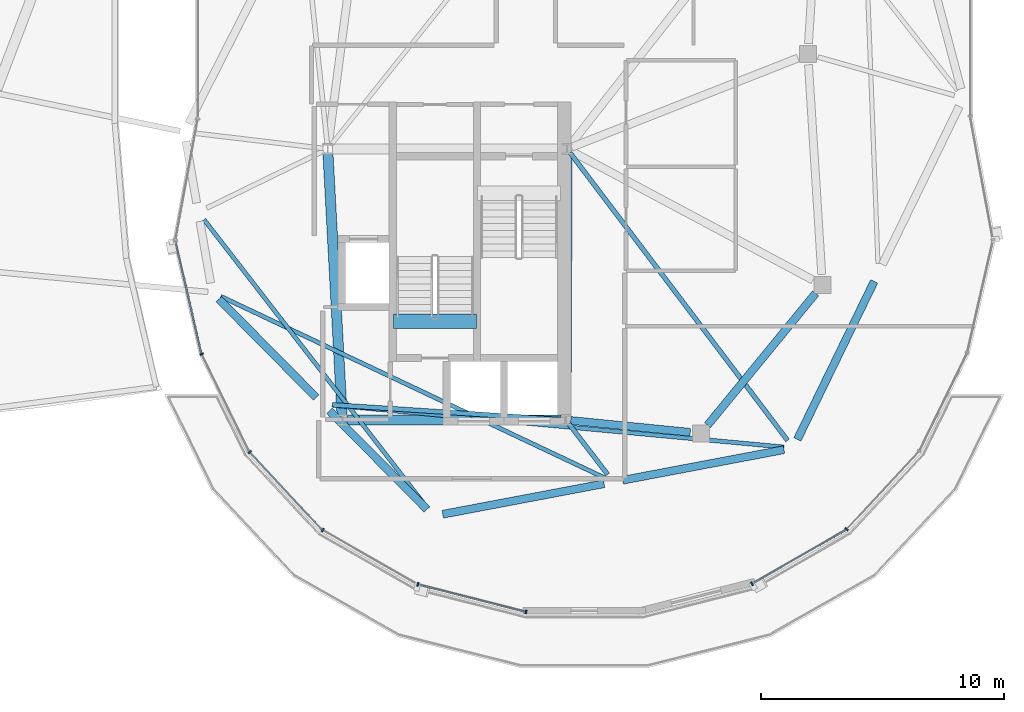
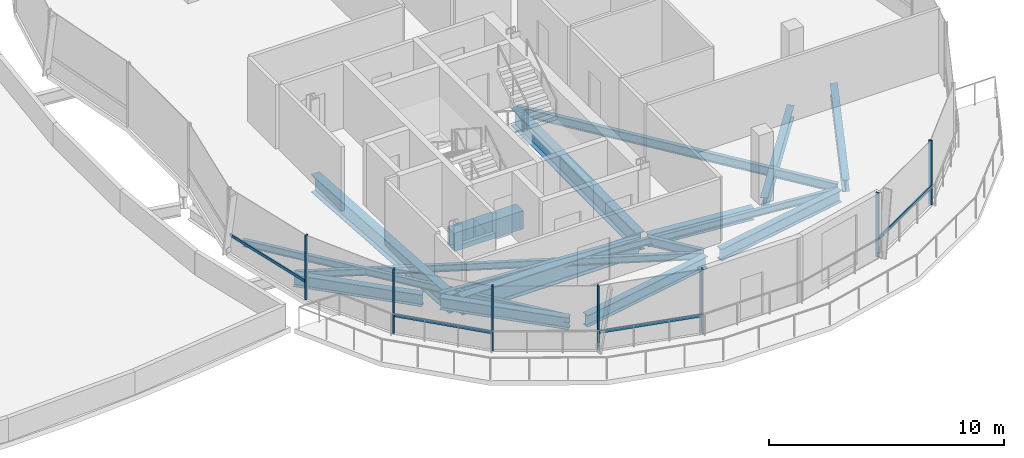
# One storey, part 12 of 31: 17 beams, 11 members, 2 elements without a shape of their own.
"""IFC4 building model written with IfcOpenShell, lengths in metres."""

import ifcopenshell
import ifcopenshell.guid

model = None  # the IFC model being written
_history = None  # IfcOwnerHistory: only IFC2X3 demands one
_inside = {}  # id of a spatial element -> (the spatial element, [elements in it])
_under = {}  # id of a project, library or spatial element -> (it, [spatial elements below it])
_declared = {}  # id of a project -> (the project, [libraries it declares])
_typed = {}  # id of a type object -> (the type object, [elements of that type])
_made_of = {}  # id of a material, layer set ... -> (it, [elements and type objects made of it])


def new_model(schema):
    """Start an empty IFC model of exactly this schema.

    Asked for "IFC4X3", IfcOpenShell would pick the latest addendum, in which some entities
    have other attributes; the version numbers below select the first issue.
    IFC2X3 requires an IfcOwnerHistory on every rooted entity: one is made here for all.
    """
    global model, _history
    if schema == "IFC4X3":
        model = ifcopenshell.file(schema_version=(4, 3, 0, 0))
    else:
        model = ifcopenshell.file(schema=schema)
    _inside.clear()
    _under.clear()
    _declared.clear()
    _typed.clear()
    _made_of.clear()
    _history = None
    if model.schema == "IFC2X3":
        org = make("IfcOrganization", Name="unknown")
        user = make(
            "IfcPersonAndOrganization",
            ThePerson=make("IfcPerson", FamilyName="unknown"),
            TheOrganization=org,
        )
        app = make(
            "IfcApplication",
            ApplicationDeveloper=org,
            Version="unknown",
            ApplicationFullName="unknown",
            ApplicationIdentifier="unknown",
        )
        _history = make(
            "IfcOwnerHistory",
            OwningUser=user,
            OwningApplication=app,
            ChangeAction="ADDED",
            CreationDate=0,
        )
    return model


def make(cls, **values):
    """One entity of the class cls with the attributes given. An attribute that is None is left unset."""
    return model.create_entity(
        cls, **{name: value for name, value in values.items() if value is not None}
    )


def rooted(cls, **values):
    """An entity with a GlobalId (a new one), such as an element, a storey or a relation."""
    return make(cls, GlobalId=ifcopenshell.guid.new(), OwnerHistory=_history, **values)


def si_unit(unit_type, name, prefix=None):
    """IfcSIUnit, for example si_unit("LENGTHUNIT", "METRE", prefix="MILLI")."""
    return make("IfcSIUnit", UnitType=unit_type, Prefix=prefix, Name=name)


def assignment(units):
    """IfcUnitAssignment: the units of a project."""
    return None if units is None else make("IfcUnitAssignment", Units=units)


def point(xyz):
    """IfcCartesianPoint."""
    return None if xyz is None else make("IfcCartesianPoint", Coordinates=xyz)


def direction(xyz):
    """IfcDirection."""
    return None if xyz is None else make("IfcDirection", DirectionRatios=xyz)


def frame(location, z_axis=None, x_axis=None):
    """IfcAxis2Placement3D, a coordinate frame: its origin and axes. An axis left out is left unset."""
    return make(
        "IfcAxis2Placement3D",
        Location=point(location),
        Axis=direction(z_axis),
        RefDirection=direction(x_axis),
    )


def frame_2d(location, x_axis=None):
    """IfcAxis2Placement2D, a coordinate frame in the plane: its origin and x axis."""
    return make(
        "IfcAxis2Placement2D", Location=point(location), RefDirection=direction(x_axis)
    )


def origin():
    """The frame at (0, 0, 0) with its axes left unset."""
    return frame((0.0, 0.0, 0.0))


def origin_2d():
    """The frame at (0, 0) in the plane with its x axis left unset."""
    return frame_2d((0.0, 0.0))


def place(relative_to, where):
    """IfcLocalPlacement: puts the frame where relative to a parent placement (None: the world)."""
    return make(
        "IfcLocalPlacement", PlacementRelTo=relative_to, RelativePlacement=where
    )


def context(
    kind, dimensions, precision=None, world=None, true_north=None, identifier=None
):
    """IfcGeometricRepresentationContext, for example the 3D "Model" context."""
    return make(
        "IfcGeometricRepresentationContext",
        ContextIdentifier=identifier,
        ContextType=kind,
        CoordinateSpaceDimension=dimensions,
        Precision=precision,
        WorldCoordinateSystem=world,
        TrueNorth=true_north,
    )


def subcontext(parent, identifier, kind, view, scale=None):
    """IfcGeometricRepresentationSubContext, for example "Body" below "Model"."""
    return make(
        "IfcGeometricRepresentationSubContext",
        ContextIdentifier=identifier,
        ContextType=kind,
        ParentContext=parent,
        TargetScale=scale,
        TargetView=view,
    )


def project(units=None, contexts=None):
    """IfcProject with its units and contexts."""
    return rooted(
        "IfcProject",
        Name="project",
        RepresentationContexts=contexts,
        UnitsInContext=assignment(units),
    )


def spatial(cls, under=None, at=None, **own):
    """A site, building, storey or space (cls), placed at a placement, below another one or the project."""
    s = rooted(cls, ObjectPlacement=at, **own)
    if under is not None:
        _under.setdefault(under.id(), (under, []))[1].append(s)
    return s


def profile(cls, at=None, kind="AREA", **sizes):
    """A parametric profile (cls). Its sizes go by their IFC names, for example OverallWidth=200.0."""
    return make(cls, ProfileType=kind, Position=at, **sizes)


def rectangle(**sizes):
    """IfcRectangleProfileDef."""
    return profile("IfcRectangleProfileDef", **sizes)


def i_section(**sizes):
    """IfcIShapeProfileDef."""
    return profile("IfcIShapeProfileDef", **sizes)


def extrude(swept, where, along, depth):
    """IfcExtrudedAreaSolid: the profile swept, set in the frame where, extruded along a direction by depth."""
    return make(
        "IfcExtrudedAreaSolid",
        SweptArea=swept,
        Position=where,
        ExtrudedDirection=direction(along),
        Depth=depth,
    )


def shape(context_of_items, identifier, shape_type, items):
    """IfcShapeRepresentation: the items that make up one representation, for example the "Body"."""
    return make(
        "IfcShapeRepresentation",
        ContextOfItems=context_of_items,
        RepresentationIdentifier=identifier,
        RepresentationType=shape_type,
        Items=items,
    )


def material(Name=None, Category=None):
    """IfcMaterial."""
    return make("IfcMaterial", Name=Name, Category=Category)


def material_profile(
    of_material, cross_section, Name=None, Category=None, Priority=None
):
    """IfcMaterialProfile: a cross section and its material."""
    return make(
        "IfcMaterialProfile",
        Name=Name,
        Material=of_material,
        Profile=cross_section,
        Priority=Priority,
        Category=Category,
    )


def profile_set(profiles, Name=None, composite=None):
    """IfcMaterialProfileSet."""
    return make(
        "IfcMaterialProfileSet",
        Name=Name,
        MaterialProfiles=profiles,
        CompositeProfile=composite,
    )


def made_of(thing, what):
    """Note that an element or type object is made of a material, layer set ...; save() writes the relation."""
    if what is not None:
        _made_of.setdefault(what.id(), (what, []))[1].append(thing)
    return thing


def type_object(cls, material=None, **own):
    """A type object (cls), such as IfcWallType, which elements share."""
    return made_of(rooted(cls, **own), material)


def element(
    cls,
    number,
    at=None,
    inside=None,
    cuts=None,
    type_object=None,
    material=None,
    context=None,
    identifier="Body",
    shape_type=None,
    held_by="IfcProductDefinitionShape",
    body=None,
    shapes=None,
    **own,
):
    """One element of the class cls, such as IfcWall. Its Tag is "e" and its number.

    at: its placement. inside: the storey or other place that contains it. cuts: it is an
    opening in that element (IfcRelVoidsElement). A single representation is given by context,
    identifier, shape_type and body (its items); several are given by shapes. held_by: the class
    of the entity that holds the representations. save() writes the other relations.
    """
    e = rooted(cls, Tag="e%d" % number, ObjectPlacement=at, **own)
    if body is not None:
        shapes = [shape(context, identifier, shape_type, body)]
    if shapes is not None:
        e.Representation = make(held_by, Representations=shapes)
    if inside is not None:
        _inside.setdefault(inside.id(), (inside, []))[1].append(e)
    if cuts is not None:
        rooted(
            "IfcRelVoidsElement", RelatingBuildingElement=cuts, RelatedOpeningElement=e
        )
    if type_object is not None:
        _typed.setdefault(type_object.id(), (type_object, []))[1].append(e)
    return made_of(e, material)


def aggregate(whole, parts):
    """IfcRelAggregates: a whole, such as a stair, and the parts it consists of."""
    return rooted("IfcRelAggregates", RelatingObject=whole, RelatedObjects=parts)


def save(model, path):
    """Write the relations noted so far, then the file.

    IfcRelAggregates (storeys below a building ...), IfcRelContainedInSpatialStructure (elements
    in a storey), IfcRelDefinesByType, IfcRelAssociatesMaterial and IfcRelDeclares: one each for
    every whole, place, type object, material and project.
    """
    for whole, parts in _under.values():
        aggregate(whole, parts)
    for where, things in _inside.values():
        rooted(
            "IfcRelContainedInSpatialStructure",
            RelatedElements=things,
            RelatingStructure=where,
        )
    for kind, things in _typed.values():
        rooted("IfcRelDefinesByType", RelatedObjects=things, RelatingType=kind)
    for what, things in _made_of.values():
        rooted("IfcRelAssociatesMaterial", RelatedObjects=things, RelatingMaterial=what)
    for by, libraries in _declared.values():
        rooted("IfcRelDeclares", RelatingContext=by, RelatedDefinitions=libraries)
    model.write(path)


model = new_model("IFC4")

# Units and contexts
model_context = context("Model", 3, precision=1e-05, world=origin(), true_north=direction((0.0, 1.0)))
body_context = subcontext(model_context, "Body", "Model", "MODEL_VIEW")
ifc_project = project(units=[si_unit("LENGTHUNIT", "METRE"), si_unit("AREAUNIT", "SQUARE_METRE"), si_unit("VOLUMEUNIT", "CUBIC_METRE"), si_unit("PLANEANGLEUNIT", "RADIAN"), si_unit("MASSUNIT", "GRAM", prefix="KILO"), si_unit("THERMODYNAMICTEMPERATUREUNIT", "KELVIN"), si_unit("POWERUNIT", "WATT")], contexts=[model_context])

# Site, building, storey
site_placement = place(None, origin())
site = spatial("IfcSite", under=ifc_project, at=site_placement, CompositionType="ELEMENT")
building_placement = place(site_placement, origin())
building = spatial("IfcBuilding", under=site, at=building_placement, Name="Cundina Bronze Exchange", CompositionType="ELEMENT")
storey_placement = place(building_placement, frame((0.0, 0.0, 275.60009765625)))
storey = spatial("IfcBuildingStorey", under=building, at=storey_placement, Name="L73", CompositionType="ELEMENT", Elevation=275.60009765625)

# Beams
ifc_material_1 = material(Name="Concrete C60/75", Category="concrete")
ifc_material_profile_1 = material_profile(ifc_material_1, rectangle(XDim=0.60009765625, YDim=0.949951171875, at=origin_2d()), Name="RC600X950", Category="concrete")
ifc_profile_set_1 = profile_set([ifc_material_profile_1], Name="Concrete C60/75")
beam_type_1 = type_object("IfcBeamType", Name="BM-COUP-RC950", PredefinedType="LINTEL", material=ifc_profile_set_1)
beam_1_placement = place(storey_placement, frame((24.159912109375, -10.97998046875, -0.47509765625), z_axis=(1.0, 0.0, 0.0), x_axis=(0.0, 1.0, 0.0)))
element("IfcBeam", 1, at=beam_1_placement, inside=storey, type_object=beam_type_1, Name="L73 Stair E2 Landing Header Beam", PredefinedType="LINTEL", context=body_context, shape_type="SweptSolid", body=[
    extrude(rectangle(XDim=0.60009765625, YDim=0.949951171875, at=origin_2d()), origin(), (0.0, 0.0, 1.0), 3.400146484375),
])
ifc_material_2 = material(Name="Steel ASTM A992 Grade 50", Category="steel")
ifc_material_profile_2 = material_profile(ifc_material_2, i_section(OverallWidth=0.19091796875, OverallDepth=0.4599609375, WebThickness=0.010009765625, FlangeThickness=0.01611328125, FilletRadius=0.011962890625, at=origin_2d()), Name="W18X55", Category="steel")
ifc_profile_set_2 = profile_set([ifc_material_profile_2], Name="Steel ASTM A992 Grade 50")
beam_type_2 = type_object("IfcBeamType", Name="BM-FLR-W18B", PredefinedType="BEAM", material=ifc_profile_set_2)
beam_2_placement = place(storey_placement, frame((31.054443359375, -15.037353515625, -0.489990234375), z_axis=(-0.997894580734, 0.064856809527, 0.0), x_axis=(-0.064856809527, -0.997894580734, 0.0)))
element("IfcBeam", 2, at=beam_2_placement, inside=storey, type_object=beam_type_2, Name="L73 Leg E Chordal Floor Beam 03", PredefinedType="BEAM", context=body_context, shape_type="SweptSolid", body=[
    extrude(i_section(OverallWidth=0.19091796875, OverallDepth=0.4599609375, WebThickness=0.010009765625, FlangeThickness=0.01611328125, FilletRadius=0.011962890625, at=origin_2d()), origin(), (0.0, 0.0, 1.0), 9.43701171875),
])
beam_3_placement = place(storey_placement, frame((31.369140625, -15.205810546875, -0.489990234375), z_axis=(0.607470812638, -0.794341999263, 0.0), x_axis=(0.794341999263, 0.607470812638, 0.0)))
element("IfcBeam", 3, at=beam_3_placement, inside=storey, type_object=beam_type_2, Name="L73 Leg E Chordal Floor Beam 05", PredefinedType="BEAM", context=body_context, shape_type="SweptSolid", body=[
    extrude(i_section(OverallWidth=0.19091796875, OverallDepth=0.4599609375, WebThickness=0.010009765625, FlangeThickness=0.01611328125, FilletRadius=0.011962890625, at=origin_2d()), origin(), (0.0, 0.0, 1.0), 2.6259765625),
])
beam_4_placement = place(storey_placement, frame((31.418212890625, -4.056396484375, -0.489990234375), z_axis=(0.603112871583, -0.797655855699, 0.0), x_axis=(0.797655855699, 0.603112871583, 0.0)))
element("IfcBeam", 4, at=beam_4_placement, inside=storey, type_object=beam_type_2, Name="L73 Leg E Chordal Floor Beam 06", PredefinedType="BEAM", context=body_context, shape_type="SweptSolid", body=[
    extrude(i_section(OverallWidth=0.19091796875, OverallDepth=0.4599609375, WebThickness=0.010009765625, FlangeThickness=0.01611328125, FilletRadius=0.011962890625, at=origin_2d()), origin(), (0.0, 0.0, 1.0), 14.8359375),
])
ifc_material_profile_3 = material_profile(ifc_material_2, i_section(OverallWidth=0.172119140625, OverallDepth=0.35791015625, WebThickness=0.0078125, FlangeThickness=0.01318359375, FilletRadius=0.010009765625, at=origin_2d()), Name="W14X38", Category="steel")
ifc_profile_set_3 = profile_set([ifc_material_profile_3], Name="Steel ASTM A992 Grade 50")
beam_type_3 = type_object("IfcBeamType", Name="BM-JST-W14", PredefinedType="JOIST", material=ifc_profile_set_3)
beam_5_placement = place(storey_placement, frame((16.362548828125, -6.806884765625, -0.439208984375), z_axis=(0.612077855816, -0.790797507849, 0.0), x_axis=(0.790797507849, 0.612077855816, 0.0)))
element("IfcBeam", 5, at=beam_5_placement, inside=storey, type_object=beam_type_3, Name="L73 Leg E Lobe Floor Joist 01-04", PredefinedType="JOIST", context=body_context, shape_type="SweptSolid", body=[
    extrude(i_section(OverallWidth=0.172119140625, OverallDepth=0.35791015625, WebThickness=0.0078125, FlangeThickness=0.01318359375, FilletRadius=0.010009765625, at=origin_2d()), origin(), (0.0, 0.0, 1.0), 15.03076171875),
])
beam_6_placement = place(storey_placement, frame((17.05078125, -9.9658203125, -0.439208984375), z_axis=(0.904073247994, -0.427377540661, 0.0), x_axis=(0.427377540661, 0.904073247994, 0.0)))
element("IfcBeam", 6, at=beam_6_placement, inside=storey, type_object=beam_type_3, Name="L73 Leg E Lobe Floor Joist 02-05", PredefinedType="JOIST", context=body_context, shape_type="SweptSolid", body=[
    extrude(i_section(OverallWidth=0.172119140625, OverallDepth=0.35791015625, WebThickness=0.0078125, FlangeThickness=0.01318359375, FilletRadius=0.010009765625, at=origin_2d()), origin(), (0.0, 0.0, 1.0), 17.474609375),
])
beam_7_placement = place(storey_placement, frame((21.63623046875, -14.435791015625, -0.439208984375), z_axis=(0.995700514338, -0.092630911398, 0.0), x_axis=(0.092630911398, 0.995700514338, 0.0)))
element("IfcBeam", 7, at=beam_7_placement, inside=storey, type_object=beam_type_3, Name="L73 Leg E Lobe Floor Joist 03-06", PredefinedType="JOIST", context=body_context, shape_type="SweptSolid", body=[
    extrude(i_section(OverallWidth=0.172119140625, OverallDepth=0.35791015625, WebThickness=0.0078125, FlangeThickness=0.01318359375, FilletRadius=0.010009765625, at=origin_2d()), origin(), (0.0, 0.0, 1.0), 18.65771484375),
])
ifc_material_profile_4 = material_profile(ifc_material_2, i_section(OverallWidth=0.324951171875, OverallDepth=0.615966796875, WebThickness=0.013916015625, FlangeThickness=0.021484375, FilletRadius=0.01611328125, at=origin_2d()), Name="W24X117", Category="steel")
ifc_profile_set_4 = profile_set([ifc_material_profile_4], Name="Steel ASTM A992 Grade 50")
beam_type_4 = type_object("IfcBeamType", Name="BM-RING-W24", PredefinedType="USERDEFINED", material=ifc_profile_set_4)
beam_8_placement = place(storey_placement, frame((31.445068359375, -15.0693359375, -0.568115234375), z_axis=(0.995123854478, -0.09863323096, 0.0), x_axis=(0.09863323096, 0.995123854478, 0.0)))
element("IfcBeam", 8, at=beam_8_placement, inside=storey, type_object=beam_type_4, Name="L73 E Inner Structural Ring Girder 01", ObjectType="GIRDER", PredefinedType="USERDEFINED", context=body_context, shape_type="SweptSolid", body=[
    extrude(i_section(OverallWidth=0.324951171875, OverallDepth=0.615966796875, WebThickness=0.013916015625, FlangeThickness=0.021484375, FilletRadius=0.01611328125, at=origin_2d()), origin(), (0.0, 0.0, 1.0), 4.943115234375),
])
beam_9_placement = place(storey_placement, frame((37.07763671875, -15.26123046875, -0.568115234375), z_axis=(0.633912590175, 0.77340469873, 0.0), x_axis=(-0.77340469873, 0.633912590175, 0.0)))
element("IfcBeam", 9, at=beam_9_placement, inside=storey, type_object=beam_type_4, Name="L73 E Inner Structural Ring Girder 02", ObjectType="GIRDER", PredefinedType="USERDEFINED", context=body_context, shape_type="SweptSolid", body=[
    extrude(i_section(OverallWidth=0.324951171875, OverallDepth=0.615966796875, WebThickness=0.013916015625, FlangeThickness=0.021484375, FilletRadius=0.01611328125, at=origin_2d()), origin(), (0.0, 0.0, 1.0), 7.01123046875),
])
beam_10_placement = place(storey_placement, frame((16.972900390625, -10.075927734375, -0.568115234375), z_axis=(0.703237257446, -0.710955244541, 0.0), x_axis=(0.710955244541, 0.703237257446, 0.0)))
element("IfcBeam", 10, at=beam_10_placement, inside=storey, type_object=beam_type_4, Name="L73 E Perimeter Ring Girder 02", ObjectType="GIRDER", PredefinedType="USERDEFINED", context=body_context, shape_type="SweptSolid", body=[
    extrude(i_section(OverallWidth=0.324951171875, OverallDepth=0.615966796875, WebThickness=0.013916015625, FlangeThickness=0.021484375, FilletRadius=0.01611328125, at=origin_2d()), origin(), (0.0, 0.0, 1.0), 5.69384765625),
])
beam_11_placement = place(storey_placement, frame((21.52294921875, -14.67578125, -0.568115234375), z_axis=(0.703215820204, -0.710976448425, 0.0), x_axis=(0.710976448425, 0.703215820204, 0.0)))
element("IfcBeam", 11, at=beam_11_placement, inside=storey, type_object=beam_type_4, Name="L73 E Perimeter Ring Girder 03", ObjectType="GIRDER", PredefinedType="USERDEFINED", context=body_context, shape_type="SweptSolid", body=[
    extrude(i_section(OverallWidth=0.324951171875, OverallDepth=0.615966796875, WebThickness=0.013916015625, FlangeThickness=0.021484375, FilletRadius=0.01611328125, at=origin_2d()), origin(), (0.0, 0.0, 1.0), 5.694091796875),
])
beam_12_placement = place(storey_placement, frame((26.18115234375, -18.927978515625, -0.568115234375), z_axis=(0.982568104771, 0.185902984072, 0.0), x_axis=(-0.185902984072, 0.982568104771, 0.0)))
element("IfcBeam", 12, at=beam_12_placement, inside=storey, type_object=beam_type_4, Name="L73 E Perimeter Ring Girder 04", ObjectType="GIRDER", PredefinedType="USERDEFINED", context=body_context, shape_type="SweptSolid", body=[
    extrude(i_section(OverallWidth=0.324951171875, OverallDepth=0.615966796875, WebThickness=0.013916015625, FlangeThickness=0.021484375, FilletRadius=0.01611328125, at=origin_2d()), origin(), (0.0, 0.0, 1.0), 6.75537109375),
])
beam_13_placement = place(storey_placement, frame((33.581298828125, -17.52783203125, -0.568115234375), z_axis=(0.982573456977, 0.185874693392, 0.0), x_axis=(-0.185874693392, 0.982573456977, 0.0)))
element("IfcBeam", 13, at=beam_13_placement, inside=storey, type_object=beam_type_4, Name="L73 E Perimeter Ring Girder 05", ObjectType="GIRDER", PredefinedType="USERDEFINED", context=body_context, shape_type="SweptSolid", body=[
    extrude(i_section(OverallWidth=0.324951171875, OverallDepth=0.615966796875, WebThickness=0.013916015625, FlangeThickness=0.021484375, FilletRadius=0.01611328125, at=origin_2d()), origin(), (0.0, 0.0, 1.0), 6.755126953125),
])
beam_14_placement = place(storey_placement, frame((40.76953125, -15.85107421875, -0.568115234375), z_axis=(0.437216986791, 0.899356050995, 0.0), x_axis=(-0.899356050995, 0.437216986791, 0.0)))
element("IfcBeam", 14, at=beam_14_placement, inside=storey, type_object=beam_type_4, Name="L73 E Perimeter Ring Girder 06", ObjectType="GIRDER", PredefinedType="USERDEFINED", context=body_context, shape_type="SweptSolid", body=[
    extrude(i_section(OverallWidth=0.324951171875, OverallDepth=0.615966796875, WebThickness=0.013916015625, FlangeThickness=0.021484375, FilletRadius=0.01611328125, at=origin_2d()), origin(), (0.0, 0.0, 1.0), 7.2294921875),
])
ifc_material_profile_5 = material_profile(ifc_material_2, i_section(OverallWidth=0.41796875, OverallDepth=0.927001953125, WebThickness=0.019287109375, FlangeThickness=0.031982421875, FilletRadius=0.02392578125, at=origin_2d()), Name="W36X231", Category="steel")
ifc_profile_set_5 = profile_set([ifc_material_profile_5], Name="Steel ASTM A992 Grade 50")
beam_type_5 = type_object("IfcBeamType", Name="BM-WRN-W36B", PredefinedType="USERDEFINED", material=ifc_profile_set_5)
beam_15_placement = place(storey_placement, frame((21.46044921875, -4.095703125, -0.7236328125), z_axis=(0.053749317644, -0.998554460634, 0.0), x_axis=(0.998554460634, 0.053749317644, 0.0)))
element("IfcBeam", 15, at=beam_15_placement, inside=storey, type_object=beam_type_5, Name="L73 E Core Perimeter Tie Girder 2", ObjectType="GIRDER", PredefinedType="USERDEFINED", context=body_context, shape_type="SweptSolid", body=[
    extrude(i_section(OverallWidth=0.41796875, OverallDepth=0.927001953125, WebThickness=0.019287109375, FlangeThickness=0.031982421875, FilletRadius=0.02392578125, at=origin_2d()), origin(), (0.0, 0.0, 1.0), 10.774169921875),
])
beam_16_placement = place(storey_placement, frame((22.24609375, -15.050048828125, -0.7236328125), z_axis=(1.0, 0.0, 0.0), x_axis=(0.0, 1.0, 0.0)))
element("IfcBeam", 16, at=beam_16_placement, inside=storey, type_object=beam_type_5, Name="L73 E Core Perimeter Tie Girder 3", ObjectType="GIRDER", PredefinedType="USERDEFINED", context=body_context, shape_type="SweptSolid", body=[
    extrude(i_section(OverallWidth=0.41796875, OverallDepth=0.927001953125, WebThickness=0.019287109375, FlangeThickness=0.031982421875, FilletRadius=0.02392578125, at=origin_2d()), origin(), (0.0, 0.0, 1.0), 8.807861328125),
])
beam_17_placement = place(storey_placement, frame((31.2509765625, -14.85400390625, -0.7236328125), z_axis=(0.004470623654, 0.999990006712, 0.0), x_axis=(-0.999990006712, 0.004470623654, 0.0)))
element("IfcBeam", 17, at=beam_17_placement, inside=storey, type_object=beam_type_5, Name="L73 E Core Perimeter Tie Girder 4", ObjectType="GIRDER", PredefinedType="USERDEFINED", context=body_context, shape_type="SweptSolid", body=[
    extrude(i_section(OverallWidth=0.41796875, OverallDepth=0.927001953125, WebThickness=0.019287109375, FlangeThickness=0.031982421875, FilletRadius=0.02392578125, at=origin_2d()), origin(), (0.0, 0.0, 1.0), 10.758056640625),
])

# Curtain wall, members
ifc_material_3 = material(Name="Anodised Bronze Aluminium 6063-T6", Category="aluminium")
curtain_wall_type = type_object("IfcCurtainWallType", Name="CWS-CRN-TMD", PredefinedType="NOTDEFINED", material=ifc_material_3)
curtain_wall_1_placement = place(storey_placement, origin())
curtain_wall_1 = element("IfcCurtainWall", 18, at=curtain_wall_1_placement, inside=storey, type_object=curtain_wall_type, Name="L73 CW-07 Curtain Wall Run CWR-L73-E3", PredefinedType="NOTDEFINED")
ifc_material_profile_6 = material_profile(ifc_material_3, rectangle(XDim=0.06494140625, YDim=0.159912109375, at=origin_2d()), Name="AL65X160", Category="aluminium")
ifc_profile_set_6 = profile_set([ifc_material_profile_6], Name="Anodised Bronze Aluminium 6063-T6")
member_type_1 = type_object("IfcMemberType", Name="CWM-MUL-160", PredefinedType="MULLION", material=ifc_profile_set_6)
member_1_placement = place(storey_placement, frame((16.263916015625, -12.33984375, 0.0), z_axis=(0.0, 0.0, 1.0), x_axis=(0.439468903432, -0.898257804261, 0.0)))
member_1 = element("IfcMember", 19, at=member_1_placement, type_object=member_type_1, Name="CW-07 Mullion 2", PredefinedType="MULLION", context=body_context, shape_type="SweptSolid", body=[
    extrude(rectangle(XDim=0.06494140625, YDim=0.159912109375, at=origin_2d()), origin(), (0.0, 0.0, 1.0), 3.33984375),
])
member_2_placement = place(storey_placement, frame((18.2451171875, -16.3701171875, 0.0), z_axis=(0.0, 0.0, 1.0), x_axis=(0.681487612702, -0.731829648029, 0.0)))
member_2 = element("IfcMember", 20, at=member_2_placement, type_object=member_type_1, Name="CW-07 Mullion 3", PredefinedType="MULLION", context=body_context, shape_type="SweptSolid", body=[
    extrude(rectangle(XDim=0.06494140625, YDim=0.159912109375, at=origin_2d()), origin(), (0.0, 0.0, 1.0), 3.33984375),
])
member_3_placement = place(storey_placement, frame((21.24609375, -19.579833984375, 0.0), z_axis=(0.0, 0.0, 1.0), x_axis=(0.867418288651, -0.497579654441, 0.0)))
member_3 = element("IfcMember", 21, at=member_3_placement, type_object=member_type_1, Name="CW-07 Mullion 4", PredefinedType="MULLION", context=body_context, shape_type="SweptSolid", body=[
    extrude(rectangle(XDim=0.06494140625, YDim=0.159912109375, at=origin_2d()), origin(), (0.0, 0.0, 1.0), 3.33984375),
])
member_4_placement = place(storey_placement, frame((25.15576171875, -21.812255859375, 0.0), z_axis=(0.0, 0.0, 1.0), x_axis=(0.969058826108, -0.246829883811, 0.0)))
member_4 = element("IfcMember", 22, at=member_4_placement, type_object=member_type_1, Name="CW-07 Mullion 5", PredefinedType="MULLION", context=body_context, shape_type="SweptSolid", body=[
    extrude(rectangle(XDim=0.06494140625, YDim=0.159912109375, at=origin_2d()), origin(), (0.0, 0.0, 1.0), 3.33984375),
])
member_5_placement = place(storey_placement, frame((29.606689453125, -22.94580078125, 0.0), z_axis=(0.0, 0.0, 1.0), x_axis=(0.969058826108, -0.246829883811, 0.0)))
member_5 = element("IfcMember", 23, at=member_5_placement, type_object=member_type_1, Name="CW-07 End Mullion", PredefinedType="MULLION", context=body_context, shape_type="SweptSolid", body=[
    extrude(rectangle(XDim=0.06494140625, YDim=0.159912109375, at=origin_2d()), origin(), (0.0, 0.0, 1.0), 3.33984375),
])

curtain_wall_2_placement = place(storey_placement, origin())
curtain_wall_2 = element("IfcCurtainWall", 24, at=curtain_wall_2_placement, inside=storey, type_object=curtain_wall_type, Name="L73 CW-07 Curtain Wall Run CWR-L73-E4", PredefinedType="NOTDEFINED")
member_6_placement = place(storey_placement, frame((38.902587890625, -21.78857421875, 0.0), z_axis=(0.0, 0.0, 1.0), x_axis=(0.867418288651, 0.497579654441, 0.0)))
member_6 = element("IfcMember", 25, at=member_6_placement, type_object=member_type_1, Name="CW-07 Mullion 1", PredefinedType="MULLION", context=body_context, shape_type="SweptSolid", body=[
    extrude(rectangle(XDim=0.06494140625, YDim=0.159912109375, at=origin_2d()), origin(), (0.0, 0.0, 1.0), 3.33984375),
])
member_7_placement = place(storey_placement, frame((42.80078125, -19.54248046875, 0.0), z_axis=(0.0, 0.0, 1.0), x_axis=(0.681487612702, 0.731829648029, 0.0)))
member_7 = element("IfcMember", 26, at=member_7_placement, type_object=member_type_1, Name="CW-07 Mullion 2", PredefinedType="MULLION", context=body_context, shape_type="SweptSolid", body=[
    extrude(rectangle(XDim=0.06494140625, YDim=0.159912109375, at=origin_2d()), origin(), (0.0, 0.0, 1.0), 3.33984375),
])

# Member
ifc_material_profile_7 = material_profile(ifc_material_3, rectangle(XDim=0.06494140625, YDim=0.14990234375, at=origin_2d()), Name="AL65X150", Category="aluminium")
ifc_profile_set_7 = profile_set([ifc_material_profile_7], Name="Anodised Bronze Aluminium 6063-T6")
member_type_2 = type_object("IfcMemberType", Name="CWM-TRN-150", PredefinedType="USERDEFINED", material=ifc_profile_set_7)
member_8_placement = place(storey_placement, frame((15.193603515625, -7.71875, 0.919921875), z_axis=(0.224034511342, -0.974581211458, 0.0), x_axis=(0.974581211458, 0.224034511342, 0.0)))
member_8 = element("IfcMember", 27, at=member_8_placement, type_object=member_type_2, Name="CW-07 Spandrel Transom 1", ObjectType="TRANSOM", PredefinedType="USERDEFINED", context=body_context, shape_type="SweptSolid", body=[
    extrude(rectangle(XDim=0.06494140625, YDim=0.14990234375, at=origin_2d()), origin(), (0.0, 0.0, 1.0), 4.712158203125),
])

member_9_placement = place(storey_placement, frame((18.26953125, -16.396240234375, 0.919921875), z_axis=(0.681452859131, -0.731862009385, 0.0), x_axis=(0.731862009385, 0.681452859131, 0.0)))
member_9 = element("IfcMember", 28, at=member_9_placement, type_object=member_type_2, Name="CW-07 Spandrel Transom 3", ObjectType="TRANSOM", PredefinedType="USERDEFINED", context=body_context, shape_type="SweptSolid", body=[
    extrude(rectangle(XDim=0.06494140625, YDim=0.14990234375, at=origin_2d()), origin(), (0.0, 0.0, 1.0), 4.334716796875),
])

member_10_placement = place(storey_placement, frame((25.1904296875, -21.821044921875, 0.919921875), z_axis=(0.969062664799, -0.246814812548, 0.0), x_axis=(0.246814812548, 0.969062664799, 0.0)))
member_10 = element("IfcMember", 29, at=member_10_placement, type_object=member_type_2, Name="CW-07 Spandrel Transom 5", ObjectType="TRANSOM", PredefinedType="USERDEFINED", context=body_context, shape_type="SweptSolid", body=[
    extrude(rectangle(XDim=0.06494140625, YDim=0.14990234375, at=origin_2d()), origin(), (0.0, 0.0, 1.0), 4.521484375),
])

aggregate(curtain_wall_1, [member_8, member_1, member_2, member_9, member_3, member_4, member_5, member_10])

member_11_placement = place(storey_placement, frame((38.93359375, -21.770751953125, 0.919921875), z_axis=(0.867467147117, 0.497494470997, 0.0), x_axis=(-0.497494470997, 0.867467147117, 0.0)))
member_11 = element("IfcMember", 30, at=member_11_placement, type_object=member_type_2, Name="CW-07 Spandrel Transom 1", ObjectType="TRANSOM", PredefinedType="USERDEFINED", context=body_context, shape_type="SweptSolid", body=[
    extrude(rectangle(XDim=0.06494140625, YDim=0.14990234375, at=origin_2d()), origin(), (0.0, 0.0, 1.0), 4.439697265625),
])

aggregate(curtain_wall_2, [member_6, member_11, member_7])

save(model, "model.ifc")
